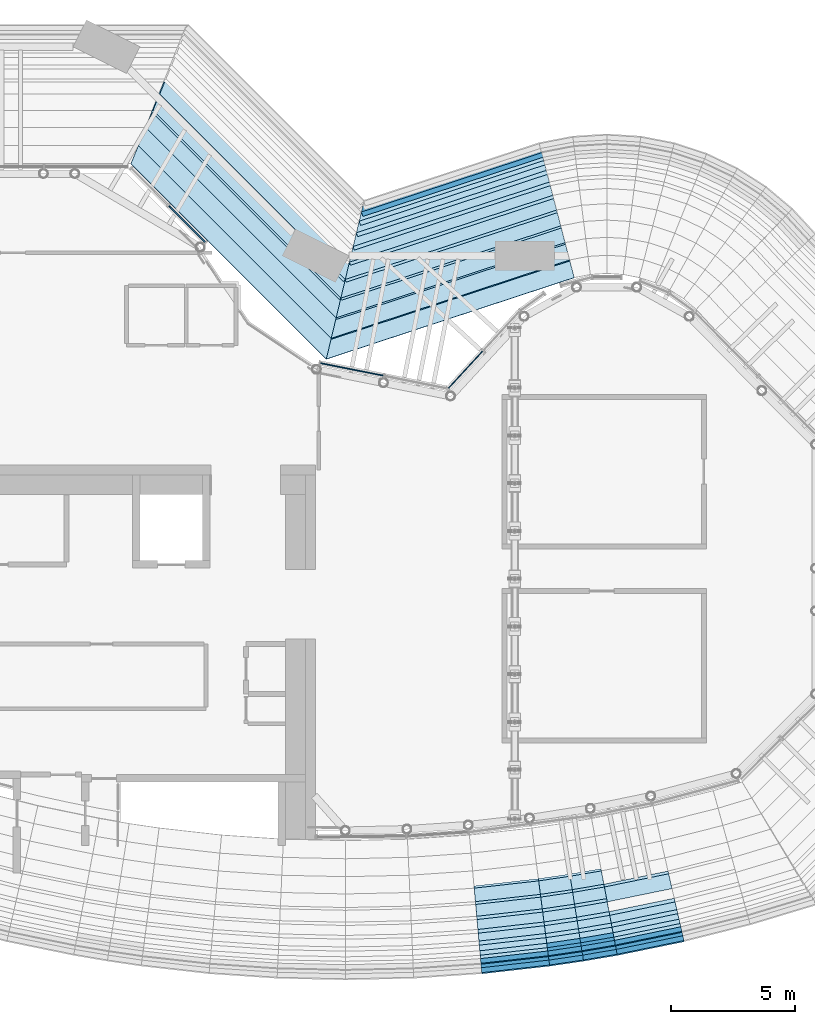
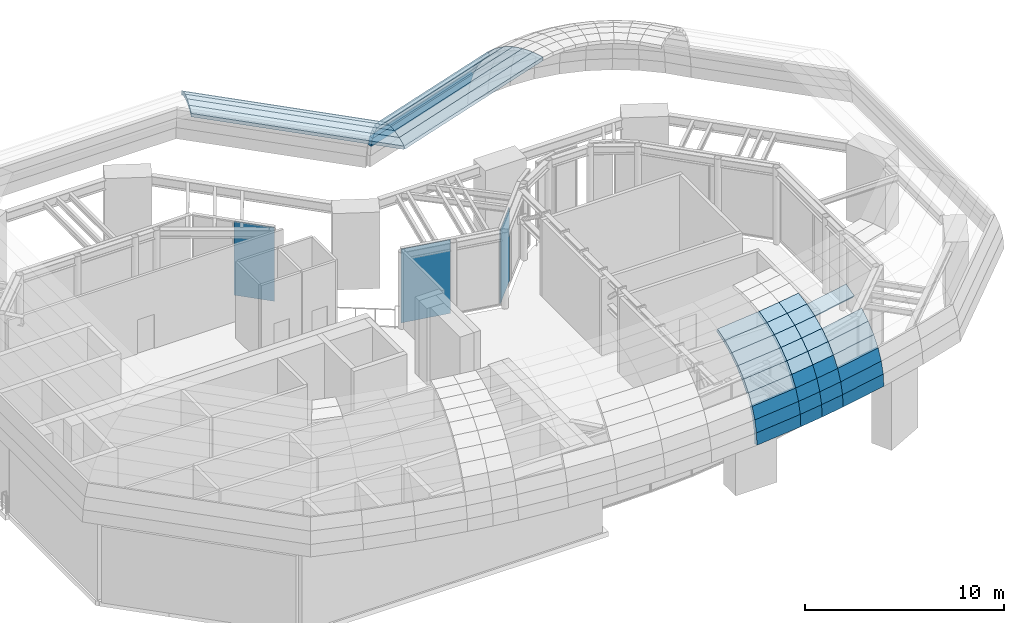
# One storey, part 11 of 20: 52 plates, 3 elements without a shape of their own.
"""IFC4 building model written with IfcOpenShell, lengths in metres."""

from ifc_helpers import new_model, si_unit, direction, frame, origin, origin_2d, place, context, subcontext, project, spatial, polyline, rectangle, outline, extrude, material, layer, layer_set, type_object, element, aggregate, save


model = new_model("IFC4")

# Units and contexts
model_context = context("Model", 3, precision=1e-05, world=origin(), true_north=direction((0.0, 1.0)))
body_context = subcontext(model_context, "Body", "Model", "MODEL_VIEW")
ifc_project = project(units=[si_unit("LENGTHUNIT", "METRE"), si_unit("AREAUNIT", "SQUARE_METRE"), si_unit("VOLUMEUNIT", "CUBIC_METRE"), si_unit("PLANEANGLEUNIT", "RADIAN"), si_unit("MASSUNIT", "GRAM", prefix="KILO")], contexts=[model_context])

# Site, building, storey
site_placement = place(None, origin())
site = spatial("IfcSite", under=ifc_project, at=site_placement, CompositionType="ELEMENT")
building_placement = place(site_placement, origin())
building = spatial("IfcBuilding", under=site, at=building_placement, Name="Brevane Broadcast Tower", CompositionType="ELEMENT")
storey_placement = place(building_placement, frame((0.0, 0.0, 264.199951171875)))
storey = spatial("IfcBuildingStorey", under=building, at=storey_placement, Name="L66", CompositionType="ELEMENT", Elevation=264.199951171875)

# Curtain wall, plate
ifc_material_1 = material(Name="Aluminium 6063-T6 bronze anodised", Category="aluminium")
curtain_wall_type = type_object("IfcCurtainWallType", Name="CW-5 curtain wall", PredefinedType="NOTDEFINED", material=ifc_material_1)
curtain_wall_1_placement = place(storey_placement, origin())
curtain_wall_1 = element("IfcCurtainWall", 1, at=curtain_wall_1_placement, inside=storey, type_object=curtain_wall_type, Name="CW-5 gallery glazing 14", PredefinedType="NOTDEFINED")
ifc_material_2 = material(Name="Laminated glass bronze-tinted", Category="glass")
ifc_layer_1 = layer(ifc_material_2, 0.0400390625)
ifc_layer_set_1 = layer_set([ifc_layer_1], Name="CW tall glass panel 40")
plate_type_1 = type_object("IfcPlateType", Name="CW tall glass panel 40", PredefinedType="CURTAIN_PANEL", material=ifc_layer_set_1)
plate_1_placement = place(storey_placement, frame((31.213623046875, 20.606689453125, 0.080078125), z_axis=(0.0, 0.0, 1.0), x_axis=(-0.678300068097, -0.734785014559, 0.0)))
plate_1 = element("IfcPlate", 2, at=plate_1_placement, type_object=plate_type_1, Name="Hall glass panel", PredefinedType="CURTAIN_PANEL", context=body_context, shape_type="SweptSolid", body=[
    extrude(rectangle(XDim=2.072509765625, YDim=0.0400390625, at=origin_2d()), origin(), (0.0, 0.0, 1.0), 4.5400390625),
])
aggregate(curtain_wall_1, [plate_1])

curtain_wall_2_placement = place(storey_placement, origin())
curtain_wall_2 = element("IfcCurtainWall", 3, at=curtain_wall_2_placement, inside=storey, type_object=curtain_wall_type, Name="CW-5 gallery glazing 15", PredefinedType="NOTDEFINED")
plate_2_placement = place(storey_placement, frame((26.6435546875, 20.63720703125, 0.080078125), z_axis=(0.0, 0.0, 1.0), x_axis=(-0.980785295664, 0.195090245294, 0.0)))
plate_2 = element("IfcPlate", 4, at=plate_2_placement, type_object=plate_type_1, Name="Hall glass panel", PredefinedType="CURTAIN_PANEL", context=body_context, shape_type="SweptSolid", body=[
    extrude(rectangle(XDim=2.617919921875, YDim=0.0400390625, at=origin_2d()), origin(), (0.0, 0.0, 1.0), 4.5400390625),
])
aggregate(curtain_wall_2, [plate_2])

curtain_wall_3_placement = place(storey_placement, origin())
curtain_wall_3 = element("IfcCurtainWall", 5, at=curtain_wall_3_placement, inside=storey, type_object=curtain_wall_type, Name="CW-5 gallery glazing 16", PredefinedType="NOTDEFINED")
plate_3_placement = place(storey_placement, frame((20.045166015625, 26.465576171875, 0.080078125), z_axis=(0.0, 0.0, 1.0), x_axis=(-0.707106781187, 0.707106781187, 0.0)))
plate_3 = element("IfcPlate", 6, at=plate_3_placement, type_object=plate_type_1, Name="Hall glass panel", PredefinedType="CURTAIN_PANEL", context=body_context, shape_type="SweptSolid", body=[
    extrude(rectangle(XDim=2.094482421875, YDim=0.0400390625, at=origin_2d()), origin(), (0.0, 0.0, 1.0), 4.5400390625),
])
aggregate(curtain_wall_3, [plate_3])

# Plates
ifc_material_3 = material(Name="Aluminium bronze anodised", Category="aluminium")
ifc_layer_2 = layer(ifc_material_3, 0.199951171875)
ifc_layer_set_2 = layer_set([ifc_layer_2], Name="Canopy shoulder plate 200")
plate_type_2 = type_object("IfcPlateType", Name="Canopy shoulder plate 200", PredefinedType="SHEET", material=ifc_layer_set_2)
plate_4_placement = place(storey_placement, frame((31.8828125, -3.6533203125, 5.150146484375), z_axis=(0.111958986087, -0.99156063174, 0.065365885737), x_axis=(0.993685741039, 0.112199144588, 3.161156e-06)))
element("IfcPlate", 7, at=plate_4_placement, inside=storey, type_object=plate_type_2, Name="Canopy shoulder", PredefinedType="SHEET", context=body_context, shape_type="SweptSolid", body=[
    extrude(outline(polyline([(0.0, 0.0), (2.7448858445690822, 0.0), (2.744137298432837, 0.7325149397144989), (0.001247031065289278, 0.7325323246124067), (0.0, 0.0)])), origin(), (0.0, 0.0, -1.0), 0.199951171875),
])
plate_5_placement = place(storey_placement, frame((31.878662109375, -3.60546875, 5.881103515625), z_axis=(0.110018917744, -0.974571866676, 0.195206338069), x_axis=(0.99368835889, 0.112175957229, -5.049977e-06)))
element("IfcPlate", 8, at=plate_5_placement, inside=storey, type_object=plate_type_2, Name="Canopy shoulder", PredefinedType="SHEET", context=body_context, shape_type="SweptSolid", body=[
    extrude(outline(polyline([(0.0, 0.0), (2.7428902697169764, -6.938893903907228e-18), (2.7403607430669537, 0.732364644835332), (0.0031050397974715467, 0.732336427381364), (0.0, 0.0)])), origin(), (0.0, 0.0, -1.0), 0.199951171875),
])
plate_6_placement = place(storey_placement, frame((31.86572265625, -3.463134765625, 6.599365234375), z_axis=(0.106251577004, -0.940910163395, 0.321556630788), x_axis=(0.993684486333, 0.112210256285, -2.404371e-06)))
element("IfcPlate", 9, at=plate_6_placement, inside=storey, type_object=plate_type_2, Name="Canopy shoulder", PredefinedType="SHEET", context=body_context, shape_type="SweptSolid", body=[
    extrude(outline(polyline([(0.0, 0.0), (2.7372557042581387, 2.7755575615628914e-17), (2.7333888849564016, 0.732513630936587), (0.005218914833872313, 0.7324997529694647), (0.0, 0.0)])), origin(), (0.0, 0.0, -1.0), 0.199951171875),
])
plate_7_placement = place(storey_placement, frame((31.844482421875, -3.228515625, 7.29296875), z_axis=(0.100642735642, -0.891223201793, 0.442258119596), x_axis=(0.993684018642, 0.112214397876, 2.254254e-06)))
element("IfcPlate", 10, at=plate_7_placement, inside=storey, type_object=plate_type_2, Name="Canopy shoulder", PredefinedType="SHEET", context=body_context, shape_type="SweptSolid", body=[
    extrude(outline(polyline([(0.0, 0.0), (2.7281699701991617, 0.0), (2.7227403429076023, 0.7325066434557763), (0.007349878410743392, 0.7325203253978775), (0.0, 0.0)])), origin(), (0.0, 0.0, -1.0), 0.199951171875),
])
plate_8_placement = place(storey_placement, frame((31.8154296875, -2.90576171875, 7.949951171875), z_axis=(0.093319981982, -0.826307385657, 0.555434501424), x_axis=(0.993683602603, 0.112218081735, -7.032601e-06)))
element("IfcPlate", 11, at=plate_8_placement, inside=storey, type_object=plate_type_2, Name="Canopy shoulder", PredefinedType="SHEET", context=body_context, shape_type="SweptSolid", body=[
    extrude(outline(polyline([(0.0, 0.0), (2.7153904643492806, 0.0), (2.7085147241660716, 0.732538476387859), (0.009084943591533985, 0.7324926826333089), (0.0, 0.0)])), origin(), (0.0, 0.0, -1.0), 0.199951171875),
])
plate_9_placement = place(storey_placement, frame((31.77880859375, -2.50048828125, 8.55908203125), z_axis=(0.084376348981, -0.747104291807, 0.659329817994), x_axis=(0.993682222581, 0.112230301078, 6.766897e-06)))
element("IfcPlate", 12, at=plate_9_placement, inside=storey, type_object=plate_type_2, Name="Canopy shoulder", PredefinedType="SHEET", context=body_context, shape_type="SweptSolid", body=[
    extrude(outline(polyline([(0.0, 0.0), (2.699429781039735, 2.7755575615628914e-17), (2.6913297200233868, 0.7325400383766083), (0.010826600079468231, 0.7325884592959739), (0.0, 0.0)])), origin(), (0.0, 0.0, -1.0), 0.199951171875),
])
plate_10_placement = place(storey_placement, frame((31.7353515625, -2.019287109375, 9.10986328125), z_axis=(0.073986740395, -0.655177610238, 0.751843242497), x_axis=(0.993684319903, 0.112211730128, -1.131386e-06)))
element("IfcPlate", 13, at=plate_10_placement, inside=storey, type_object=plate_type_2, Name="Canopy shoulder", PredefinedType="SHEET", context=body_context, shape_type="SweptSolid", body=[
    extrude(outline(polyline([(0.0, 0.0), (2.6805031205214003, -2.7755575615628914e-17), (2.6711899528756295, 0.7324169444153905), (0.012552072044809444, 0.7324077828086456), (0.0, 0.0)])), origin(), (0.0, 0.0, -1.0), 0.199951171875),
])
plate_11_placement = place(storey_placement, frame((31.68603515625, -1.470703125, 9.5927734375), z_axis=(0.062334362934, -0.551965275403, 0.831533981234), x_axis=(0.993683810601, 0.112216240121, -1.418353e-06)))
element("IfcPlate", 14, at=plate_11_placement, inside=storey, type_object=plate_type_2, Name="Canopy shoulder", PredefinedType="SHEET", context=body_context, shape_type="SweptSolid", body=[
    extrude(outline(polyline([(0.0, 0.0), (2.658637880845798, 2.7755575615628914e-17), (2.648327002645773, 0.7326828288055917), (0.013765145257068673, 0.7326693130937502), (0.0, 0.0)])), origin(), (0.0, 0.0, -1.0), 0.199951171875),
])
plate_12_placement = place(storey_placement, frame((31.63134765625, -0.86376953125, 9.999755859375), z_axis=(0.049642240867, -0.439591312179, 0.896825025397), x_axis=(0.993683368723, 0.112220152894, 2.603772e-06)))
element("IfcPlate", 15, at=plate_12_placement, inside=storey, type_object=plate_type_2, Name="Canopy shoulder", PredefinedType="SHEET", context=body_context, shape_type="SweptSolid", body=[
    extrude(outline(polyline([(0.0, 0.0), (2.634561857416172, 0.0), (2.623477554237626, 0.7323201719935367), (0.014717307063322678, 0.7323510328970474), (0.0, 0.0)])), origin(), (0.0, 0.0, -1.0), 0.199951171875),
])
plate_13_placement = place(storey_placement, frame((34.6103515625, -3.34521484375, 5.150146484375), z_axis=(0.145443933981, -0.987207361415, 0.065327541171), x_axis=(0.989320722739, 0.14575495715, -5.07019e-06)))
element("IfcPlate", 16, at=plate_13_placement, inside=storey, type_object=plate_type_2, Name="Canopy shoulder", PredefinedType="SHEET", context=body_context, shape_type="SweptSolid", body=[
    extrude(outline(polyline([(0.0, 0.0), (1.37255253168439, 1.734723475976807e-18), (1.3719647238554007, 0.7325287606246658), (0.0008613924484603313, 0.7325148199884818), (0.0, 0.0)])), origin(), (0.0, 0.0, -1.0), 0.199951171875),
])
plate_14_placement = place(storey_placement, frame((34.604248046875, -3.2978515625, 5.881103515625), z_axis=(0.142960055056, -0.970292190185, 0.195180655612), x_axis=(0.98931908072, 0.1457661015, 1.3319105e-05)))
element("IfcPlate", 17, at=plate_14_placement, inside=storey, type_object=plate_type_2, Name="Canopy shoulder", PredefinedType="SHEET", context=body_context, shape_type="SweptSolid", body=[
    extrude(outline(polyline([(0.0, 0.0), (1.371103332423636, 6.938893903907228e-18), (1.3697029308439892, 0.7323281170018238), (0.0023293553820954984, 0.7323653063152614), (0.0, 0.0)])), origin(), (0.0, 0.0, -1.0), 0.199951171875),
])
plate_15_placement = place(storey_placement, frame((34.585693359375, -3.156005859375, 6.599365234375), z_axis=(0.137889290702, -0.93683357063, 0.321448914215), x_axis=(0.989339771358, 0.145625603004, 2.3625223e-05)))
element("IfcPlate", 18, at=plate_15_placement, inside=storey, type_object=plate_type_2, Name="Canopy shoulder", PredefinedType="SHEET", context=body_context, shape_type="SweptSolid", body=[
    extrude(outline(polyline([(0.0, 0.0), (1.3673735754756788, 1.3877787807814457e-17), (1.3645227571341012, 0.7324443550973639), (0.004090012130360093, 0.7325124121266072), (0.0, 0.0)])), origin(), (0.0, 0.0, -1.0), 0.199951171875),
])
plate_16_placement = place(storey_placement, frame((34.555419921875, -2.92236328125, 7.29296875), z_axis=(0.130565542146, -0.887312766011, 0.44229932679), x_axis=(0.9893476768, 0.14557188659, -1.565105e-05)))
element("IfcPlate", 19, at=plate_16_placement, inside=storey, type_object=plate_type_2, Name="Canopy shoulder", PredefinedType="SHEET", context=body_context, shape_type="SweptSolid", body=[
    extrude(outline(polyline([(0.0, 0.0), (1.3604327495662139, 0.0), (1.356775110301112, 0.7325537605083148), (0.005457039317552616, 0.7325064383042603), (0.0, 0.0)])), origin(), (0.0, 0.0, -1.0), 0.199951171875),
])
plate_17_placement = place(storey_placement, frame((34.513671875, -2.60107421875, 7.949951171875), z_axis=(0.121072586148, -0.822690108743, 0.555447939829), x_axis=(0.989342842595, 0.145604737957, 9.507936e-06)))
element("IfcPlate", 20, at=plate_17_placement, inside=storey, type_object=plate_type_2, Name="Canopy shoulder", PredefinedType="SHEET", context=body_context, shape_type="SweptSolid", body=[
    extrude(outline(polyline([(0.0, 0.0), (1.3513180724716525, -2.7755575615628914e-17), (1.3467943027111215, 0.7325080781711887), (0.006835850338363751, 0.7325388501566605), (0.0, 0.0)])), origin(), (0.0, 0.0, -1.0), 0.199951171875),
])
plate_18_placement = place(storey_placement, frame((34.461181640625, -2.197509765625, 8.55908203125), z_axis=(0.109462161282, -0.74386078783, 0.659309611318), x_axis=(0.989346096353, 0.145582628134, -4.176345e-06)))
element("IfcPlate", 21, at=plate_18_placement, inside=storey, type_object=plate_type_2, Name="Canopy shoulder", PredefinedType="SHEET", context=body_context, shape_type="SweptSolid", body=[
    extrude(outline(polyline([(0.0, 0.0), (1.339958452898867, 0.0), (1.3345291910992694, 0.7325544093444394), (0.008139755857742674, 0.7325395988500373), (0.0, 0.0)])), origin(), (0.0, 0.0, -1.0), 0.199951171875),
])
plate_19_placement = place(storey_placement, frame((34.39892578125, -1.718505859375, 9.10986328125), z_axis=(0.096008905132, -0.652286820818, 0.751867138211), x_axis=(0.989342751596, 0.145605356056, -1.2315454e-05)))
element("IfcPlate", 22, at=plate_19_placement, inside=storey, type_object=plate_type_2, Name="Canopy shoulder", PredefinedType="SHEET", context=body_context, shape_type="SweptSolid", body=[
    extrude(outline(polyline([(0.0, 0.0), (1.3263894351734375, 2.7755575615628914e-17), (1.3200801185867597, 0.73246728917883), (0.009227558792978091, 0.7324180276736421), (0.0, 0.0)])), origin(), (0.0, 0.0, -1.0), 0.199951171875),
])
plate_20_placement = place(storey_placement, frame((34.327880859375, -1.17236328125, 9.5927734375), z_axis=(0.080867035279, -0.549614653812, 0.831495192361), x_axis=(0.989340555431, 0.145620273578, 3.6077962e-05)))
element("IfcPlate", 23, at=plate_20_placement, inside=storey, type_object=plate_type_2, Name="Canopy shoulder", PredefinedType="SHEET", context=body_context, shape_type="SweptSolid", body=[
    extrude(outline(polyline([(0.0, 0.0), (1.3108525596655183, 0.0), (1.304025493963747, 0.7325148044635796), (0.01023014165519378, 0.7326839583497886), (0.0, 0.0)])), origin(), (0.0, 0.0, -1.0), 0.199951171875),
])
plate_21_placement = place(storey_placement, frame((34.249267578125, -0.568115234375, 9.999755859375), z_axis=(0.06439575593, -0.437613717353, 0.896854180457), x_axis=(0.989357179525, 0.145507284523, -3.8378344e-05)))
element("IfcPlate", 24, at=plate_21_placement, inside=storey, type_object=plate_type_2, Name="Canopy shoulder", PredefinedType="SHEET", context=body_context, shape_type="SweptSolid", body=[
    extrude(outline(polyline([(0.0, 0.0), (1.293795363431956, -2.7755575615628914e-17), (1.2862755158832822, 0.7325450835808157), (0.010951065856993127, 0.7323221744802569), (0.0, 0.0)])), origin(), (0.0, 0.0, -1.0), 0.199951171875),
])
plate_22_placement = place(storey_placement, frame((35.96826171875, -3.145263671875, 5.150146484375), z_axis=(0.167371631938, -0.983718997473, 0.065449758076), x_axis=(0.985832745667, 0.167731325548, 8.54909e-07)))
element("IfcPlate", 25, at=plate_22_placement, inside=storey, type_object=plate_type_2, Name="Canopy shoulder", PredefinedType="SHEET", context=body_context, shape_type="SweptSolid", body=[
    extrude(outline(polyline([(0.0, 0.0), (1.3724745401557226, 0.0), (1.3717139753568715, 0.7325264935730843), (0.0004837943451633673, 0.7325288442306221), (0.0, 0.0)])), origin(), (0.0, 0.0, -1.0), 0.199951171875),
])
plate_23_placement = place(storey_placement, frame((35.960693359375, -3.097900390625, 5.881103515625), z_axis=(0.164568145596, -0.966859716179, 0.195191225942), x_axis=(0.985822298585, 0.16779271554, -1.5012157e-05)))
element("IfcPlate", 26, at=plate_23_placement, inside=storey, type_object=plate_type_2, Name="Canopy shoulder", PredefinedType="SHEET", context=body_context, shape_type="SweptSolid", body=[
    extrude(outline(polyline([(0.0, 0.0), (1.371230177075399, 6.938893903907228e-18), (1.368821883652269, 0.7323692407686608), (0.001765184239715768, 0.7323273269739038), (0.0, 0.0)])), origin(), (0.0, 0.0, -1.0), 0.199951171875),
])
plate_24_placement = place(storey_placement, frame((35.9384765625, -2.956787109375, 6.599365234375), z_axis=(0.159002341108, -0.933503083669, 0.321388002735), x_axis=(0.985802916636, 0.167906549663, -1.1480634e-05)))
element("IfcPlate", 27, at=plate_24_placement, inside=storey, type_object=plate_type_2, Name="Canopy shoulder", PredefinedType="SHEET", context=body_context, shape_type="SweptSolid", body=[
    extrude(outline(polyline([(0.0, 0.0), (1.3670567032507588, -1.3877787807814457e-17), (1.3630698559454955, 0.7324789319799211), (0.0024346619796961726, 0.7324458619004179), (0.0, 0.0)])), origin(), (0.0, 0.0, -1.0), 0.199951171875),
])
plate_25_placement = place(storey_placement, frame((35.9013671875, -2.724365234375, 7.29296875), z_axis=(0.150575038513, -0.884154019706, 0.442265561869), x_axis=(0.985804245071, 0.167898748654, 2.4513233e-05)))
element("IfcPlate", 28, at=plate_25_placement, inside=storey, type_object=plate_type_2, Name="Canopy shoulder", PredefinedType="SHEET", context=body_context, shape_type="SweptSolid", body=[
    extrude(outline(polyline([(0.0, 0.0), (1.3606351931540226, -1.3877787807814457e-17), (1.3551380967945736, 0.7324794463668789), (0.0036948099657942747, 0.7325535716718364), (0.0, 0.0)])), origin(), (0.0, 0.0, -1.0), 0.199951171875),
])
plate_26_placement = place(storey_placement, frame((35.8505859375, -2.404296875, 7.949951171875), z_axis=(0.139608888712, -0.819702540531, 0.555515169225), x_axis=(0.985808094002, 0.167876146672, -3.4325913e-05)))
element("IfcPlate", 29, at=plate_26_placement, inside=storey, type_object=plate_type_2, Name="Canopy shoulder", PredefinedType="SHEET", context=body_context, shape_type="SweptSolid", body=[
    extrude(outline(polyline([(0.0, 0.0), (1.3514432883858427, -2.7755575615628914e-17), (1.3447099574252936, 0.7326185543970033), (0.004624653744237591, 0.7325074437971562), (0.0, 0.0)])), origin(), (0.0, 0.0, -1.0), 0.199951171875),
])
plate_27_placement = place(storey_placement, frame((35.786865234375, -2.00244140625, 8.55908203125), z_axis=(0.126259252749, -0.741239571618, 0.659259052697), x_axis=(0.985797044041, 0.167941022889, 2.8112956e-05)))
element("IfcPlate", 30, at=plate_27_placement, inside=storey, type_object=plate_type_2, Name="Canopy shoulder", PredefinedType="SHEET", context=body_context, shape_type="SweptSolid", body=[
    extrude(outline(polyline([(0.0, 0.0), (1.3400853096707492, -2.7755575615628914e-17), (1.3319614938135742, 0.7324540076618822), (0.0055232172607851005, 0.7325537047965716), (0.0, 0.0)])), origin(), (0.0, 0.0, -1.0), 0.199951171875),
])
plate_28_placement = place(storey_placement, frame((35.711181640625, -1.525390625, 9.10986328125), z_axis=(0.110694145905, -0.649885696739, 0.751927780599), x_axis=(0.985807093681, 0.167882022306, -2.5200858e-05)))
element("IfcPlate", 31, at=plate_28_placement, inside=storey, type_object=plate_type_2, Name="Canopy shoulder", PredefinedType="SHEET", context=body_context, shape_type="SweptSolid", body=[
    extrude(outline(polyline([(0.0, 0.0), (1.326438280785493, 0.0), (1.3172138489514327, 0.7325698251912227), (0.006107321103261143, 0.732469000243313), (0.0, 0.0)])), origin(), (0.0, 0.0, -1.0), 0.199951171875),
])
plate_29_placement = place(storey_placement, frame((35.624755859375, -0.9814453125, 9.5927734375), z_axis=(0.093315879401, -0.547710055547, 0.831448039088), x_axis=(0.985793981683, 0.167958999958, 3.128142e-06)))
element("IfcPlate", 32, at=plate_29_placement, inside=storey, type_object=plate_type_2, Name="Canopy shoulder", PredefinedType="SHEET", context=body_context, shape_type="SweptSolid", body=[
    extrude(outline(polyline([(0.0, 0.0), (1.31110653246932, 0.0), (1.3007036166864718, 0.7324991153223971), (0.006936216716501805, 0.7325137812305832), (0.0, 0.0)])), origin(), (0.0, 0.0, -1.0), 0.199951171875),
])
plate_30_placement = place(storey_placement, frame((35.529296875, -0.3798828125, 9.999755859375), z_axis=(0.07426449552, -0.436004457572, 0.896875073621), x_axis=(0.985797129199, 0.167940524742, 1.4596134e-05)))
element("IfcPlate", 33, at=plate_30_placement, inside=storey, type_object=plate_type_2, Name="Canopy shoulder", PredefinedType="SHEET", context=body_context, shape_type="SweptSolid", body=[
    extrude(outline(polyline([(0.0, 0.0), (1.293767399891167, -5.551115123125783e-17), (1.282846179414869, 0.7324612995056323), (0.007421605300642098, 0.7325460872752116), (0.0, 0.0)])), origin(), (0.0, 0.0, -1.0), 0.199951171875),
])
plate_31_placement = place(storey_placement, frame((37.3212890625, -2.9150390625, 5.150146484375), z_axis=(0.200600741921, -0.977479162888, 0.065527310799), x_axis=(0.979584533372, 0.201032688821, -1.828039e-06)))
element("IfcPlate", 34, at=plate_31_placement, inside=storey, type_object=plate_type_2, Name="Canopy shoulder", PredefinedType="SHEET", context=body_context, shape_type="SweptSolid", body=[
    extrude(outline(polyline([(0.0, 0.0), (2.744989728343999, 0.0), (2.7438889186848057, 0.732536431930185), (0.0008615216288436908, 0.7325263780117257), (0.0, 0.0)])), origin(), (0.0, 0.0, -1.0), 0.199951171875),
])
plate_32_placement = place(storey_placement, frame((37.3125, -2.867919921875, 5.881103515625), z_axis=(0.197169986268, -0.960728561498, 0.19525528837), x_axis=(0.979582972734, 0.201040293258, 4.048353e-06)))
element("IfcPlate", 35, at=plate_32_placement, inside=storey, type_object=plate_type_2, Name="Canopy shoulder", PredefinedType="SHEET", context=body_context, shape_type="SweptSolid", body=[
    extrude(outline(polyline([(0.0, 0.0), (2.743027397553722, 2.7755575615628914e-17), (2.739965906159211, 0.7323465007368655), (0.0024453511021779316, 0.7323691233570817), (0.0, 0.0)])), origin(), (0.0, 0.0, -1.0), 0.199951171875),
])
plate_33_placement = place(storey_placement, frame((37.2861328125, -2.727294921875, 6.599365234375), z_axis=(0.190343700968, -0.927608302716, 0.321422015788), x_axis=(0.979588987267, 0.20101098482, 2.691766e-06)))
element("IfcPlate", 36, at=plate_33_placement, inside=storey, type_object=plate_type_2, Name="Canopy shoulder", PredefinedType="SHEET", context=body_context, shape_type="SweptSolid", body=[
    extrude(outline(polyline([(0.0, 0.0), (2.73752055564529, 2.7755575615628914e-17), (2.731994860280956, 0.7324635700720528), (0.003954887983981127, 0.732479106504821), (0.0, 0.0)])), origin(), (0.0, 0.0, -1.0), 0.199951171875),
])
plate_34_placement = place(storey_placement, frame((37.24267578125, -2.495849609375, 7.29296875), z_axis=(0.180295783968, -0.878589963779, 0.442236481796), x_axis=(0.979587653786, 0.201017483031, -8.097183e-06)))
element("IfcPlate", 37, at=plate_34_placement, inside=storey, type_object=plate_type_2, Name="Canopy shoulder", PredefinedType="SHEET", context=body_context, shape_type="SweptSolid", body=[
    extrude(outline(polyline([(0.0, 0.0), (2.7280399719802677, -2.7755575615628914e-17), (2.720749173152635, 0.732529335894489), (0.0053969807557182016, 0.7324801930493107), (0.0, 0.0)])), origin(), (0.0, 0.0, -1.0), 0.199951171875),
])
plate_35_placement = place(storey_placement, frame((37.182861328125, -2.177490234375, 7.949951171875), z_axis=(0.167137233244, -0.814540944248, 0.555507151536), x_axis=(0.979588039285, 0.20101560382, 1.7650789e-05)))
element("IfcPlate", 38, at=plate_35_placement, inside=storey, type_object=plate_type_2, Name="Canopy shoulder", PredefinedType="SHEET", context=body_context, shape_type="SweptSolid", body=[
    extrude(outline(polyline([(0.0, 0.0), (2.7153521919303194, 0.0), (2.7063842310786046, 0.7325008737870017), (0.007025167314225209, 0.7326158137430071), (0.0, 0.0)])), origin(), (0.0, 0.0, -1.0), 0.199951171875),
])
plate_36_placement = place(storey_placement, frame((37.10791015625, -1.77734375, 8.55908203125), z_axis=(0.151133141521, -0.736556527372, 0.65927479515), x_axis=(0.979594110857, 0.200986013608, -1.7557407e-05)))
element("IfcPlate", 39, at=plate_36_placement, inside=storey, type_object=plate_type_2, Name="Canopy shoulder", PredefinedType="SHEET", context=body_context, shape_type="SweptSolid", body=[
    extrude(outline(polyline([(0.0, 0.0), (2.6993590666330727, -5.551115123125783e-17), (2.6882950563163024, 0.7325800274925574), (0.008087243770170161, 0.7324544110796356), (0.0, 0.0)])), origin(), (0.0, 0.0, -1.0), 0.199951171875),
])
plate_37_placement = place(storey_placement, frame((36.917236328125, -0.76123046875, 9.5927734375), z_axis=(0.111684701128, -0.544302746044, 0.831421101598), x_axis=(0.979587890023, 0.2010163317, 1.053692e-05)))
element("IfcPlate", 40, at=plate_37_placement, inside=storey, type_object=plate_type_2, Name="Canopy shoulder", PredefinedType="SHEET", context=body_context, shape_type="SweptSolid", body=[
    extrude(outline(polyline([(0.0, 0.0), (2.6585177668364097, -5.551115123125783e-17), (2.6449040990842154, 0.7324031421271204), (0.010087791277625512, 0.7325035221493281), (0.0, 0.0)])), origin(), (0.0, 0.0, -1.0), 0.199951171875),
])
plate_38_placement = place(storey_placement, frame((34.229736328125, 29.56787109375, 6.599365234375), z_axis=(-0.295576671613, 0.899640295388, 0.321374812504), x_axis=(-0.950037873333, -0.312134649203, -3.87387e-07)))
element("IfcPlate", 41, at=plate_38_placement, inside=storey, type_object=plate_type_2, Name="Canopy shoulder", PredefinedType="SHEET", context=body_context, shape_type="SweptSolid", body=[
    extrude(outline(polyline([(0.0, 0.0), (7.500983098283399, 0.0), (7.645653281637429, 0.7324620714352743), (0.014889060844075876, 0.7324558812112141), (0.0, 0.0)])), origin(), (0.0, 0.0, -1.0), 0.199951171875),
])
plate_39_placement = place(storey_placement, frame((34.2890625, 29.339599609375, 7.29296875), z_axis=(-0.279948334557, 0.852054897599, 0.442302364289), x_axis=(-0.950036203329, -0.312139732107, -1.956612e-06)))
element("IfcPlate", 42, at=plate_39_placement, inside=storey, type_object=plate_type_2, Name="Canopy shoulder", PredefinedType="SHEET", context=body_context, shape_type="SweptSolid", body=[
    extrude(outline(polyline([(0.0, 0.0), (7.630764220726559, 0.0), (7.830254375569549, 0.7325483896554796), (0.020607050309373647, 0.732514704702465), (0.0, 0.0)])), origin(), (0.0, 0.0, -1.0), 0.199951171875),
])
plate_40_placement = place(storey_placement, frame((34.37060546875, 29.025390625, 7.949951171875), z_axis=(-0.259550113651, 0.789977468742, 0.555490177577), x_axis=(-0.950035996828, -0.312140360606, 3.422228e-06)))
element("IfcPlate", 43, at=plate_40_placement, inside=storey, type_object=plate_type_2, Name="Canopy shoulder", PredefinedType="SHEET", context=body_context, shape_type="SweptSolid", body=[
    extrude(outline(polyline([(0.0, 0.0), (7.809647325257568, 0.0), (8.059739598512822, 0.7325151622780138), (0.02604355929837689, 0.7325803673534086), (0.0, 0.0)])), origin(), (0.0, 0.0, -1.0), 0.199951171875),
])
plate_41_placement = place(storey_placement, frame((34.472900390625, 28.630615234375, 8.55908203125), z_axis=(-0.234663109886, 0.714237510295, 0.659392147167), x_axis=(-0.950038212094, -0.312133618115, -2.097506e-06)))
element("IfcPlate", 44, at=plate_41_placement, inside=storey, type_object=plate_type_2, Name="Canopy shoulder", PredefinedType="SHEET", context=body_context, shape_type="SweptSolid", body=[
    extrude(outline(polyline([(0.0, 0.0), (8.03369603958249, 2.220446049250313e-16), (8.330934282083636, 0.7326407691037364), (0.030727698136326687, 0.732595197812089), (0.0, 0.0)])), origin(), (0.0, 0.0, -1.0), 0.199951171875),
])
plate_42_placement = place(storey_placement, frame((34.594482421875, 28.162109375, 9.10986328125), z_axis=(-0.205787440585, 0.626351001373, 0.751888257906), x_axis=(-0.950037015015, -0.312137261627, 2.394778e-06)))
element("IfcPlate", 45, at=plate_42_placement, inside=storey, type_object=plate_type_2, Name="Canopy shoulder", PredefinedType="SHEET", context=body_context, shape_type="SweptSolid", body=[
    extrude(outline(polyline([(0.0, 0.0), (8.30020658406965, 2.220446049250313e-16), (8.638925590427348, 0.7324380089764464), (0.03499512714412606, 0.7324994108122551), (0.0, 0.0)])), origin(), (0.0, 0.0, -1.0), 0.199951171875),
])
plate_43_placement = place(storey_placement, frame((34.733154296875, 27.6279296875, 9.5927734375), z_axis=(-0.173433827202, 0.527871330773, 0.831428027992), x_axis=(-0.950038567606, -0.31213253603, -3.617388e-06)))
element("IfcPlate", 46, at=plate_43_placement, inside=storey, type_object=plate_type_2, Name="Canopy shoulder", PredefinedType="SHEET", context=body_context, shape_type="SweptSolid", body=[
    extrude(outline(polyline([(0.0, 0.0), (8.603930463461499, 4.440892098500626e-16), (8.978524153004383, 0.7325254148614952), (0.03867635596045619, 0.7324111979040029), (0.0, 0.0)])), origin(), (0.0, 0.0, -1.0), 0.199951171875),
])
plate_44_placement = place(storey_placement, frame((34.886474609375, 27.037353515625, 9.999755859375), z_axis=(-0.138048073579, 0.420163810448, 0.896886337153), x_axis=(-0.950034736711, -0.312144195911, 1.370884e-06)))
element("IfcPlate", 47, at=plate_44_placement, inside=storey, type_object=plate_type_2, Name="Canopy shoulder", PredefinedType="SHEET", context=body_context, shape_type="SweptSolid", body=[
    extrude(outline(polyline([(0.0, 0.0), (8.939847797841484, 0.0), (9.343814194440723, 0.732512503289783), (0.041644194092149214, 0.7325690483734282), (0.0, 0.0)])), origin(), (0.0, 0.0, -1.0), 0.199951171875),
])
plate_45_placement = place(storey_placement, frame((35.052001953125, 26.400146484375, 10.32373046875), z_axis=(-0.10037771393, 0.305516267506, 0.946881262269), x_axis=(-0.950036726831, -0.312138138764, 8.0719e-07)))
element("IfcPlate", 48, at=plate_45_placement, inside=storey, type_object=plate_type_2, Name="Canopy shoulder", PredefinedType="SHEET", context=body_context, shape_type="SweptSolid", body=[
    extrude(outline(polyline([(0.0, 0.0), (9.302170000527092, -4.440892098500626e-16), (9.728980905262068, 0.7325871269970811), (0.04418389396657301, 0.7326347851870139), (0.0, 0.0)])), origin(), (0.0, 0.0, -1.0), 0.199951171875),
])
plate_46_placement = place(storey_placement, frame((35.2265625, 25.727294921875, 10.559326171875), z_axis=(-0.060864625565, 0.185257757815, 0.9808032731), x_axis=(-0.950038349985, -0.31213319842, 1.39481e-06)))
element("IfcPlate", 49, at=plate_46_placement, inside=storey, type_object=plate_type_2, Name="Canopy shoulder", PredefinedType="SHEET", context=body_context, shape_type="SweptSolid", body=[
    extrude(outline(polyline([(0.0, 0.0), (9.684797011406207, -4.440892098500626e-16), (10.126630283133398, 0.7323500233578191), (0.04561780930596548, 0.732491405795258), (0.0, 0.0)])), origin(), (0.0, 0.0, -1.0), 0.199951171875),
])
plate_47_placement = place(storey_placement, frame((35.407470703125, 25.030517578125, 10.7021484375), z_axis=(-0.020387287632, 0.06205359349, 0.997864574999), x_axis=(-0.950042713633, -0.312119916495, -6.32999e-07)))
element("IfcPlate", 50, at=plate_47_placement, inside=storey, type_object=plate_type_2, Name="Canopy shoulder", PredefinedType="SHEET", context=body_context, shape_type="SweptSolid", body=[
    extrude(outline(polyline([(0.0, 0.0), (10.08101247482623, 0.0), (10.530654760460004, 0.732708843463518), (0.046634265153393625, 0.732509543507789), (0.0, 0.0)])), origin(), (0.0, 0.0, -1.0), 0.199951171875),
])
plate_48_placement = place(storey_placement, frame((26.55908203125, 24.9423828125, 9.5927734375), z_axis=(0.392865886395, 0.392865886395, 0.831452217878), x_axis=(-0.707106781187, 0.707106781187, 0.0)))
element("IfcPlate", 51, at=plate_48_placement, inside=storey, type_object=plate_type_2, Name="Canopy shoulder", PredefinedType="SHEET", context=body_context, shape_type="SweptSolid", body=[
    extrude(outline(polyline([(0.0, 0.0), (10.418085945079534, 0.0), (10.165695780505626, 0.7325146832475429), (-0.3746146765563497, 0.7325146832475431), (0.0, 0.0)])), origin(), (0.0, 0.0, -1.0), 0.199951171875),
])
plate_49_placement = place(storey_placement, frame((26.393310546875, 24.246826171875, 9.999755859375), z_axis=(0.312741261221, 0.312746351577, 0.896873805563), x_axis=(-0.70710790688, 0.707105655484, -3.22823e-06)))
element("IfcPlate", 52, at=plate_49_placement, inside=storey, type_object=plate_type_2, Name="Canopy shoulder", PredefinedType="SHEET", context=body_context, shape_type="SweptSolid", body=[
    extrude(outline(polyline([(0.0, 0.0), (10.540310456993694, 0.0), (10.268240074523511, 0.7325743240221199), (-0.40413500374213285, 0.7324194935656285), (0.0, 0.0)])), origin(), (0.0, 0.0, -1.0), 0.199951171875),
])
plate_50_placement = place(storey_placement, frame((26.214599609375, 23.49658203125, 10.32373046875), z_axis=(0.227409894345, 0.227409894345, 0.946873528993), x_axis=(-0.707117036039, 0.707096526168, 4.92584e-06)))
element("IfcPlate", 53, at=plate_50_placement, inside=storey, type_object=plate_type_2, Name="Canopy shoulder", PredefinedType="SHEET", context=body_context, shape_type="SweptSolid", body=[
    extrude(outline(polyline([(0.0, 0.0), (10.672375079311772, 0.0), (10.384951533650998, 0.7324006197079116), (-0.42656613478666133, 0.7327296750344603), (0.0, 0.0)])), origin(), (0.0, 0.0, -1.0), 0.199951171875),
])
plate_51_placement = place(storey_placement, frame((26.025634765625, 22.704345703125, 10.559326171875), z_axis=(0.137877759227, 0.137875572253, 0.980805816707), x_axis=(-0.707095706392, 0.707117855806, -1.536964e-06)))
element("IfcPlate", 54, at=plate_51_placement, inside=storey, type_object=plate_type_2, Name="Canopy shoulder", PredefinedType="SHEET", context=body_context, shape_type="SweptSolid", body=[
    extrude(outline(polyline([(0.0, 0.0), (10.811517673574444, 0.0), (10.513886061594553, 0.7325533907728261), (-0.4417805746612754, 0.732381813313221), (0.0, 0.0)])), origin(), (0.0, 0.0, -1.0), 0.199951171875),
])
plate_52_placement = place(storey_placement, frame((25.830078125, 21.884033203125, 10.7021484375), z_axis=(0.046188155002, 0.046187432047, 0.997864407351), x_axis=(-0.707106757575, 0.707106804798, 5.10115e-07)))
element("IfcPlate", 55, at=plate_52_placement, inside=storey, type_object=plate_type_2, Name="Canopy shoulder", PredefinedType="SHEET", context=body_context, shape_type="SweptSolid", body=[
    extrude(outline(polyline([(0.0, 0.0), (10.955666637611039, 8.881784197001252e-16), (10.652867493521772, 0.7324948693892583), (-0.449710245362042, 0.7326671342059431), (0.0, 0.0)])), origin(), (0.0, 0.0, -1.0), 0.199951171875),
])

save(model, "model.ifc")
